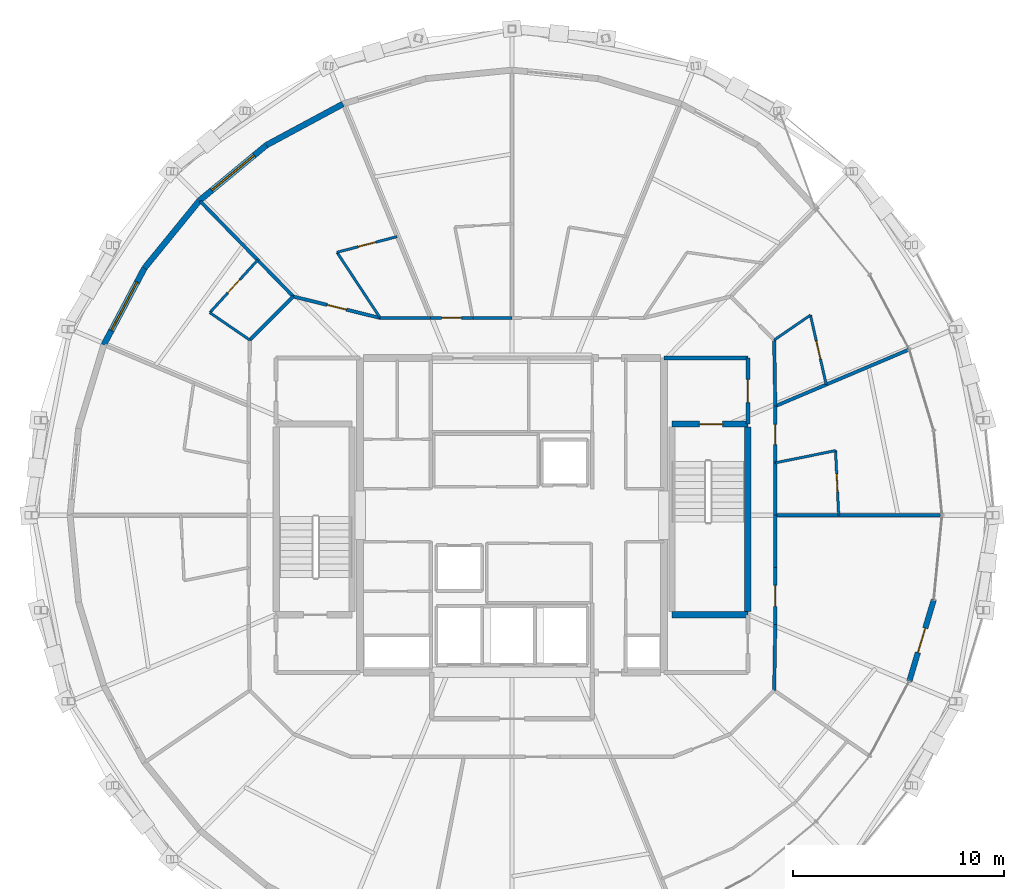
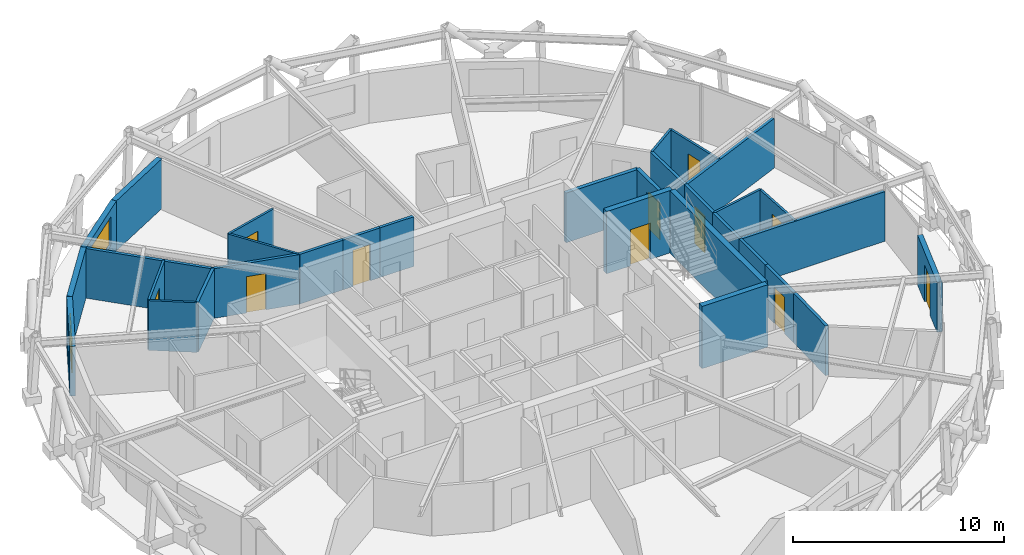
# One storey, part 13 of 15: 32 walls, 11 doors, 2 windows, 13 openings.
"""IFC4 building model written with IfcOpenShell, lengths in metres."""

import ifcopenshell
import ifcopenshell.guid

model = None  # the IFC model being written
_history = None  # IfcOwnerHistory: only IFC2X3 demands one
_inside = {}  # id of a spatial element -> (the spatial element, [elements in it])
_under = {}  # id of a project, library or spatial element -> (it, [spatial elements below it])
_declared = {}  # id of a project -> (the project, [libraries it declares])
_typed = {}  # id of a type object -> (the type object, [elements of that type])
_made_of = {}  # id of a material, layer set ... -> (it, [elements and type objects made of it])


def new_model(schema):
    """Start an empty IFC model of exactly this schema.

    Asked for "IFC4X3", IfcOpenShell would pick the latest addendum, in which some entities
    have other attributes; the version numbers below select the first issue.
    IFC2X3 requires an IfcOwnerHistory on every rooted entity: one is made here for all.
    """
    global model, _history
    if schema == "IFC4X3":
        model = ifcopenshell.file(schema_version=(4, 3, 0, 0))
    else:
        model = ifcopenshell.file(schema=schema)
    _inside.clear()
    _under.clear()
    _declared.clear()
    _typed.clear()
    _made_of.clear()
    _history = None
    if model.schema == "IFC2X3":
        org = make("IfcOrganization", Name="unknown")
        user = make(
            "IfcPersonAndOrganization",
            ThePerson=make("IfcPerson", FamilyName="unknown"),
            TheOrganization=org,
        )
        app = make(
            "IfcApplication",
            ApplicationDeveloper=org,
            Version="unknown",
            ApplicationFullName="unknown",
            ApplicationIdentifier="unknown",
        )
        _history = make(
            "IfcOwnerHistory",
            OwningUser=user,
            OwningApplication=app,
            ChangeAction="ADDED",
            CreationDate=0,
        )
    return model


def make(cls, **values):
    """One entity of the class cls with the attributes given. An attribute that is None is left unset."""
    return model.create_entity(
        cls, **{name: value for name, value in values.items() if value is not None}
    )


def rooted(cls, **values):
    """An entity with a GlobalId (a new one), such as an element, a storey or a relation."""
    return make(cls, GlobalId=ifcopenshell.guid.new(), OwnerHistory=_history, **values)


def si_unit(unit_type, name, prefix=None):
    """IfcSIUnit, for example si_unit("LENGTHUNIT", "METRE", prefix="MILLI")."""
    return make("IfcSIUnit", UnitType=unit_type, Prefix=prefix, Name=name)


def assignment(units):
    """IfcUnitAssignment: the units of a project."""
    return None if units is None else make("IfcUnitAssignment", Units=units)


def point(xyz):
    """IfcCartesianPoint."""
    return None if xyz is None else make("IfcCartesianPoint", Coordinates=xyz)


def direction(xyz):
    """IfcDirection."""
    return None if xyz is None else make("IfcDirection", DirectionRatios=xyz)


def frame(location, z_axis=None, x_axis=None):
    """IfcAxis2Placement3D, a coordinate frame: its origin and axes. An axis left out is left unset."""
    return make(
        "IfcAxis2Placement3D",
        Location=point(location),
        Axis=direction(z_axis),
        RefDirection=direction(x_axis),
    )


def frame_2d(location, x_axis=None):
    """IfcAxis2Placement2D, a coordinate frame in the plane: its origin and x axis."""
    return make(
        "IfcAxis2Placement2D", Location=point(location), RefDirection=direction(x_axis)
    )


def origin():
    """The frame at (0, 0, 0) with its axes left unset."""
    return frame((0.0, 0.0, 0.0))


def place(relative_to, where):
    """IfcLocalPlacement: puts the frame where relative to a parent placement (None: the world)."""
    return make(
        "IfcLocalPlacement", PlacementRelTo=relative_to, RelativePlacement=where
    )


def context(
    kind, dimensions, precision=None, world=None, true_north=None, identifier=None
):
    """IfcGeometricRepresentationContext, for example the 3D "Model" context."""
    return make(
        "IfcGeometricRepresentationContext",
        ContextIdentifier=identifier,
        ContextType=kind,
        CoordinateSpaceDimension=dimensions,
        Precision=precision,
        WorldCoordinateSystem=world,
        TrueNorth=true_north,
    )


def subcontext(parent, identifier, kind, view, scale=None):
    """IfcGeometricRepresentationSubContext, for example "Body" below "Model"."""
    return make(
        "IfcGeometricRepresentationSubContext",
        ContextIdentifier=identifier,
        ContextType=kind,
        ParentContext=parent,
        TargetScale=scale,
        TargetView=view,
    )


def project(units=None, contexts=None):
    """IfcProject with its units and contexts."""
    return rooted(
        "IfcProject",
        Name="project",
        RepresentationContexts=contexts,
        UnitsInContext=assignment(units),
    )


def spatial(cls, under=None, at=None, **own):
    """A site, building, storey or space (cls), placed at a placement, below another one or the project."""
    s = rooted(cls, ObjectPlacement=at, **own)
    if under is not None:
        _under.setdefault(under.id(), (under, []))[1].append(s)
    return s


def profile(cls, at=None, kind="AREA", **sizes):
    """A parametric profile (cls). Its sizes go by their IFC names, for example OverallWidth=200.0."""
    return make(cls, ProfileType=kind, Position=at, **sizes)


def rectangle(**sizes):
    """IfcRectangleProfileDef."""
    return profile("IfcRectangleProfileDef", **sizes)


def extrude(swept, where, along, depth):
    """IfcExtrudedAreaSolid: the profile swept, set in the frame where, extruded along a direction by depth."""
    return make(
        "IfcExtrudedAreaSolid",
        SweptArea=swept,
        Position=where,
        ExtrudedDirection=direction(along),
        Depth=depth,
    )


def shape(context_of_items, identifier, shape_type, items):
    """IfcShapeRepresentation: the items that make up one representation, for example the "Body"."""
    return make(
        "IfcShapeRepresentation",
        ContextOfItems=context_of_items,
        RepresentationIdentifier=identifier,
        RepresentationType=shape_type,
        Items=items,
    )


def material(Name=None, Category=None):
    """IfcMaterial."""
    return make("IfcMaterial", Name=Name, Category=Category)


def layer(
    of_material, thickness, ventilated=None, Name=None, Category=None, Priority=None
):
    """IfcMaterialLayer: one layer of a wall or slab, of a material (None: an air gap)."""
    return make(
        "IfcMaterialLayer",
        Material=of_material,
        LayerThickness=thickness,
        IsVentilated=ventilated,
        Name=Name,
        Category=Category,
        Priority=Priority,
    )


def layer_set(layers, Name=None):
    """IfcMaterialLayerSet."""
    return make("IfcMaterialLayerSet", MaterialLayers=layers, LayerSetName=Name)


def made_of(thing, what):
    """Note that an element or type object is made of a material, layer set ...; save() writes the relation."""
    if what is not None:
        _made_of.setdefault(what.id(), (what, []))[1].append(thing)
    return thing


def type_object(cls, material=None, **own):
    """A type object (cls), such as IfcWallType, which elements share."""
    return made_of(rooted(cls, **own), material)


def element(
    cls,
    number,
    at=None,
    inside=None,
    cuts=None,
    type_object=None,
    material=None,
    context=None,
    identifier="Body",
    shape_type=None,
    held_by="IfcProductDefinitionShape",
    body=None,
    shapes=None,
    **own,
):
    """One element of the class cls, such as IfcWall. Its Tag is "e" and its number.

    at: its placement. inside: the storey or other place that contains it. cuts: it is an
    opening in that element (IfcRelVoidsElement). A single representation is given by context,
    identifier, shape_type and body (its items); several are given by shapes. held_by: the class
    of the entity that holds the representations. save() writes the other relations.
    """
    e = rooted(cls, Tag="e%d" % number, ObjectPlacement=at, **own)
    if body is not None:
        shapes = [shape(context, identifier, shape_type, body)]
    if shapes is not None:
        e.Representation = make(held_by, Representations=shapes)
    if inside is not None:
        _inside.setdefault(inside.id(), (inside, []))[1].append(e)
    if cuts is not None:
        rooted(
            "IfcRelVoidsElement", RelatingBuildingElement=cuts, RelatedOpeningElement=e
        )
    if type_object is not None:
        _typed.setdefault(type_object.id(), (type_object, []))[1].append(e)
    return made_of(e, material)


def fill(opening, filler):
    """IfcRelFillsElement: the door or window that sits in an opening."""
    return rooted(
        "IfcRelFillsElement",
        RelatingOpeningElement=opening,
        RelatedBuildingElement=filler,
    )


def aggregate(whole, parts):
    """IfcRelAggregates: a whole, such as a stair, and the parts it consists of."""
    return rooted("IfcRelAggregates", RelatingObject=whole, RelatedObjects=parts)


def save(model, path):
    """Write the relations noted so far, then the file.

    IfcRelAggregates (storeys below a building ...), IfcRelContainedInSpatialStructure (elements
    in a storey), IfcRelDefinesByType, IfcRelAssociatesMaterial and IfcRelDeclares: one each for
    every whole, place, type object, material and project.
    """
    for whole, parts in _under.values():
        aggregate(whole, parts)
    for where, things in _inside.values():
        rooted(
            "IfcRelContainedInSpatialStructure",
            RelatedElements=things,
            RelatingStructure=where,
        )
    for kind, things in _typed.values():
        rooted("IfcRelDefinesByType", RelatedObjects=things, RelatingType=kind)
    for what, things in _made_of.values():
        rooted("IfcRelAssociatesMaterial", RelatedObjects=things, RelatingMaterial=what)
    for by, libraries in _declared.values():
        rooted("IfcRelDeclares", RelatingContext=by, RelatedDefinitions=libraries)
    model.write(path)


model = new_model("IFC4")

# Units and contexts
model_context = context("Model", 3, precision=1e-05, world=origin(), true_north=direction((0.0, 1.0)))
body_context = subcontext(model_context, "Body", "Model", "MODEL_VIEW")
ifc_project = project(units=[si_unit("LENGTHUNIT", "METRE"), si_unit("AREAUNIT", "SQUARE_METRE"), si_unit("VOLUMEUNIT", "CUBIC_METRE"), si_unit("PLANEANGLEUNIT", "RADIAN"), si_unit("MASSUNIT", "GRAM", prefix="KILO")], contexts=[model_context])

# Site, building, storey
site_placement = place(None, origin())
site = spatial("IfcSite", under=ifc_project, at=site_placement, CompositionType="ELEMENT")
building_placement = place(site_placement, origin())
building = spatial("IfcBuilding", under=site, at=building_placement, Name="Veldorina Hangang Commons", CompositionType="ELEMENT")
storey_placement = place(building_placement, frame((0.0, 0.0, 250.800048828125)))
storey = spatial("IfcBuildingStorey", under=building, at=storey_placement, Name="L65", CompositionType="ELEMENT", Elevation=250.800048828125)

# Wall, opening, door
ifc_material_1 = material(Name="Stone Roman Travertine", Category="masonry")
ifc_layer_1 = layer(ifc_material_1, 0.260009765625)
ifc_layer_set_1 = layer_set([ifc_layer_1], Name="Stone Roman Travertine")
wall_type_1 = type_object("IfcWallType", Name="EW-LOGGIA-260", PredefinedType="STANDARD", material=ifc_layer_set_1)
wall_1_placement = place(storey_placement, frame((50.83349609375, 16.140625, 0.0), z_axis=(0.0, 0.0, 1.0), x_axis=(0.288277391775, 0.957546941612, 0.0)))
wall_1 = element("IfcWall", 1, at=wall_1_placement, inside=storey, type_object=wall_type_1, Name="L65 sky-garden loggia portal wall 30", PredefinedType="STANDARD", context=body_context, shape_type="SweptSolid", body=[
    extrude(rectangle(XDim=4.023681640625, YDim=0.260009765625, at=frame_2d((2.01171875, 0.0))), origin(), (0.0, 0.0, 1.0), 2.8798828125),
])
opening_1_placement = place(wall_1_placement, frame((1.411865234375, 0.0, 0.0)))
opening_1 = element("IfcOpeningElement", 2, at=opening_1_placement, cuts=wall_1, Name="Opening BD-1200", PredefinedType="OPENING", context=body_context, shape_type="SweptSolid", body=[
    extrude(rectangle(XDim=1.199951171875, YDim=2.14990234375, at=frame_2d((0.60009765625, 1.074951171875))), frame((0.0, 0.14013671875, 0.0), z_axis=(0.0, -1.0, 0.0), x_axis=(1.0, 0.0, 0.0)), (0.0, 0.0, 1.0), 0.280029296875),
])
ifc_material_2 = material(Name="Glass Thermal Aluminium Frame", Category="aluminium")
door_type_1 = type_object("IfcDoorType", Name="DR-EXT-LOG1200", OperationType="SINGLE_SWING_LEFT", PredefinedType="DOOR", material=ifc_material_2)
door_1_placement = place(opening_1_placement, origin())
door_1 = element("IfcDoor", 3, at=door_1_placement, inside=storey, type_object=door_type_1, Name="L65 loggia glazed exterior door 30", OperationType="SINGLE_SWING_LEFT", OverallHeight=2.14990234375, OverallWidth=1.199951171875, PredefinedType="DOOR", context=body_context, shape_type="SweptSolid", body=[
    extrude(rectangle(XDim=1.199951171875, YDim=2.14990234375, at=frame_2d((0.60009765625, 1.074951171875))), frame((0.0, 0.02490234375, 0.0), z_axis=(0.0, -1.0, 0.0), x_axis=(1.0, 0.0, 0.0)), (0.0, 0.0, 1.0), 0.050048828125),
])
fill(opening_1, door_1)

# Wall
ifc_layer_2 = layer(ifc_material_1, 0.280029296875)
ifc_layer_set_2 = layer_set([ifc_layer_2], Name="Stone Roman Travertine")
wall_type_2 = type_object("IfcWallType", Name="EW-TRAV-280", PredefinedType="STANDARD", material=ifc_layer_set_2)
wall_2_placement = place(storey_placement, frame((23.984619140625, 43.49169921875, 0.0), z_axis=(0.0, 0.0, 1.0), x_axis=(-0.880482536711, -0.474078582671, 0.0)))
element("IfcWall", 4, at=wall_2_placement, inside=storey, type_object=wall_type_2, Name="L65 travertine facade wall 10", PredefinedType="STANDARD", context=body_context, shape_type="SweptSolid", body=[
    extrude(rectangle(XDim=4.112548828125, YDim=0.280029296875, at=frame_2d((2.05615234375, 0.0))), origin(), (0.0, 0.0, 1.0), 2.8798828125),
])

# Wall, opening, window
wall_3_placement = place(storey_placement, frame((20.363525390625, 41.5419921875, 0.0), z_axis=(0.0, 0.0, 1.0), x_axis=(-0.770756680857, -0.637129609197, 0.0)))
wall_3 = element("IfcWall", 5, at=wall_3_placement, inside=storey, type_object=wall_type_2, Name="L65 travertine facade wall 11", PredefinedType="STANDARD", context=body_context, shape_type="SweptSolid", body=[
    extrude(rectangle(XDim=4.1181640625, YDim=0.280029296875, at=frame_2d((2.05908203125, 0.0))), origin(), (0.0, 0.0, 1.0), 2.8798828125),
])
opening_2_placement = place(wall_3_placement, frame((0.759033203125, 0.0, 0.800048828125)))
opening_2 = element("IfcOpeningElement", 6, at=opening_2_placement, cuts=wall_3, Name="Opening W-02", PredefinedType="OPENING", context=body_context, shape_type="SweptSolid", body=[
    extrude(rectangle(XDim=2.60009765625, YDim=1.64990234375, at=frame_2d((1.300048828125, 0.824951171875))), frame((0.0, 0.14990234375, 0.0), z_axis=(0.0, -1.0, 0.0), x_axis=(1.0, 0.0, 0.0)), (0.0, 0.0, 1.0), 0.300048828125),
])
ifc_material_3 = material(Name="Glass Low-E Triple IGU", Category="glass")
window_type = type_object("IfcWindowType", Name="WIN-TWR-2600", PartitioningType="SINGLE_PANEL", PredefinedType="WINDOW", material=ifc_material_3)
window_1_placement = place(opening_2_placement, origin())
window_1 = element("IfcWindow", 7, at=window_1_placement, inside=storey, type_object=window_type, Name="L65 facade window 11", OverallHeight=1.64990234375, OverallWidth=2.60009765625, PartitioningType="SINGLE_PANEL", PredefinedType="WINDOW", context=body_context, shape_type="SweptSolid", body=[
    extrude(rectangle(XDim=2.60009765625, YDim=1.64990234375, at=frame_2d((1.300048828125, 0.824951171875))), frame((0.0, 0.030029296875, 0.0), z_axis=(0.0, -1.0, 0.0), x_axis=(1.0, 0.0, 0.0)), (0.0, 0.0, 1.0), 0.06005859375),
])
fill(opening_2, window_1)

# Wall
wall_4_placement = place(storey_placement, frame((17.189453125, 38.918212890625, 0.0), z_axis=(0.0, 0.0, 1.0), x_axis=(-0.631637370097, -0.775263976138, 0.0)))
element("IfcWall", 8, at=wall_4_placement, inside=storey, type_object=wall_type_2, Name="L65 travertine facade wall 12", PredefinedType="STANDARD", context=body_context, shape_type="SweptSolid", body=[
    extrude(rectangle(XDim=4.123779296875, YDim=0.280029296875, at=frame_2d((2.06201171875, 0.0))), origin(), (0.0, 0.0, 1.0), 2.8798828125),
])

# Wall, opening, window
wall_5_placement = place(storey_placement, frame((14.584716796875, 35.72119140625, 0.0), z_axis=(0.0, 0.0, 1.0), x_axis=(-0.468745936162, -0.883333033081, 0.0)))
wall_5 = element("IfcWall", 9, at=wall_5_placement, inside=storey, type_object=wall_type_2, Name="L65 travertine facade wall 13", PredefinedType="STANDARD", context=body_context, shape_type="SweptSolid", body=[
    extrude(rectangle(XDim=4.129150390625, YDim=0.280029296875, at=frame_2d((2.064453125, 0.0))), origin(), (0.0, 0.0, 1.0), 2.8798828125),
])
opening_3_placement = place(wall_5_placement, frame((0.7646484375, 0.0, 0.800048828125)))
opening_3 = element("IfcOpeningElement", 10, at=opening_3_placement, cuts=wall_5, Name="Opening W-02", PredefinedType="OPENING", context=body_context, shape_type="SweptSolid", body=[
    extrude(rectangle(XDim=2.60009765625, YDim=1.64990234375, at=frame_2d((1.300048828125, 0.824951171875))), frame((0.0, 0.14990234375, 0.0), z_axis=(0.0, -1.0, 0.0), x_axis=(1.0, 0.0, 0.0)), (0.0, 0.0, 1.0), 0.300048828125),
])
window_2_placement = place(opening_3_placement, origin())
window_2 = element("IfcWindow", 11, at=window_2_placement, inside=storey, type_object=window_type, Name="L65 facade window 13", OverallHeight=1.64990234375, OverallWidth=2.60009765625, PartitioningType="SINGLE_PANEL", PredefinedType="WINDOW", context=body_context, shape_type="SweptSolid", body=[
    extrude(rectangle(XDim=2.60009765625, YDim=1.64990234375, at=frame_2d((1.300048828125, 0.824951171875))), frame((0.0, 0.030029296875, 0.0), z_axis=(0.0, -1.0, 0.0), x_axis=(1.0, 0.0, 0.0)), (0.0, 0.0, 1.0), 0.06005859375),
])
fill(opening_3, window_2)

# Walls
ifc_material_4 = material(Name="Concrete C50/60", Category="concrete")
ifc_layer_3 = layer(ifc_material_4, 0.300048828125)
ifc_layer_set_3 = layer_set([ifc_layer_3], Name="Concrete C50/60")
wall_type_3 = type_object("IfcWallType", Name="SW-STAIR-300", PredefinedType="SHEAR", material=ifc_layer_set_3)
wall_6_placement = place(storey_placement, frame((43.179931640625, 19.429931640625, 0.0), z_axis=(0.0, 0.0, 1.0), x_axis=(0.0, 1.0, 0.0)))
element("IfcWall", 12, at=wall_6_placement, inside=storey, type_object=wall_type_3, Name="L65 ST2 outer stair shear wall", PredefinedType="SHEAR", context=body_context, shape_type="SweptSolid", body=[
    extrude(rectangle(XDim=8.739990234375, YDim=0.300048828125, at=frame_2d((4.3701171875, 0.0))), origin(), (0.0, 0.0, 1.0), 3.599853515625),
])
wall_7_placement = place(storey_placement, frame((39.580078125, 19.280029296875, 0.0), z_axis=(0.0, 0.0, 1.0), x_axis=(1.0, 0.0, 0.0)))
element("IfcWall", 13, at=wall_7_placement, inside=storey, type_object=wall_type_3, Name="L65 ST2 south stair shear wall", PredefinedType="SHEAR", context=body_context, shape_type="SweptSolid", body=[
    extrude(rectangle(XDim=3.599853515625, YDim=0.300048828125, at=frame_2d((1.7998046875, 0.0))), origin(), (0.0, 0.0, 1.0), 3.599853515625),
])

# Wall, opening, door
wall_8_placement = place(storey_placement, frame((39.580078125, 28.320068359375, 0.0), z_axis=(0.0, 0.0, 1.0), x_axis=(1.0, 0.0, 0.0)))
wall_8 = element("IfcWall", 14, at=wall_8_placement, inside=storey, type_object=wall_type_3, Name="L65 ST2 north stair shear wall", PredefinedType="SHEAR", context=body_context, shape_type="SweptSolid", body=[
    extrude(rectangle(XDim=3.599853515625, YDim=0.300048828125, at=frame_2d((1.7998046875, 0.0))), origin(), (0.0, 0.0, 1.0), 3.599853515625),
])
opening_4_placement = place(wall_8_placement, frame((1.300048828125, 0.0, 0.0)))
opening_4 = element("IfcOpeningElement", 15, at=opening_4_placement, cuts=wall_8, Name="Opening D-08", PredefinedType="OPENING", context=body_context, shape_type="SweptSolid", body=[
    extrude(rectangle(XDim=1.10009765625, YDim=2.10009765625, at=frame_2d((0.550048828125, 1.050048828125))), frame((0.0, 0.16015625, 0.0), z_axis=(0.0, -1.0, 0.0), x_axis=(1.0, 0.0, 0.0)), (0.0, 0.0, 1.0), 0.320068359375),
])
ifc_material_5 = material(Name="Steel Fire-Rated Smoke Seal", Category="steel")
door_type_2 = type_object("IfcDoorType", Name="DR-FIRE-1100", OperationType="SINGLE_SWING_RIGHT", PredefinedType="DOOR", material=ifc_material_5)
door_2_placement = place(opening_4_placement, origin())
door_2 = element("IfcDoor", 16, at=door_2_placement, inside=storey, type_object=door_type_2, Name="L65 Special Escape Stair ST-2 door", OperationType="SINGLE_SWING_RIGHT", OverallHeight=2.10009765625, OverallWidth=1.10009765625, PredefinedType="DOOR", context=body_context, shape_type="SweptSolid", body=[
    extrude(rectangle(XDim=1.10009765625, YDim=2.10009765625, at=frame_2d((0.550048828125, 1.050048828125))), frame((0.0, 0.02490234375, 0.0), z_axis=(0.0, -1.0, 0.0), x_axis=(1.0, 0.0, 0.0)), (0.0, 0.0, 1.0), 0.050048828125),
])
fill(opening_4, door_2)

# Wall
ifc_material_6 = material(Name="Gypsum Fire-Rated Twin Stud Wall", Category="gypsum")
ifc_layer_4 = layer(ifc_material_6, 0.159912109375)
ifc_layer_set_4 = layer_set([ifc_layer_4], Name="Gypsum Fire-Rated Twin Stud Wall")
wall_type_4 = type_object("IfcWallType", Name="WL-FIRE-160", PredefinedType="SOLIDWALL", material=ifc_layer_set_4)
wall_9_placement = place(storey_placement, frame((44.47998046875, 24.0, 0.0), z_axis=(0.0, 0.0, 1.0), x_axis=(0.0, 1.0, 0.0)))
element("IfcWall", 17, at=wall_9_placement, inside=storey, type_object=wall_type_4, Name="L65 Compact collar outer wall 00 054", PredefinedType="SOLIDWALL", context=body_context, shape_type="SweptSolid", body=[
    extrude(rectangle(XDim=2.482421875, YDim=0.159912109375, at=frame_2d((1.2412109375, 0.0))), origin(), (0.0, 0.0, 1.0), 2.869873046875),
])

# Wall, opening, door
wall_10_placement = place(storey_placement, frame((44.47998046875, 26.482421875, 0.0), z_axis=(0.0, 0.0, 1.0), x_axis=(0.0, 1.0, 0.0)))
wall_10 = element("IfcWall", 18, at=wall_10_placement, inside=storey, type_object=wall_type_4, Name="L65 Compact collar outer wall 01 055", PredefinedType="SOLIDWALL", context=body_context, shape_type="SweptSolid", body=[
    extrude(rectangle(XDim=2.68701171875, YDim=0.159912109375, at=frame_2d((1.343505859375, 0.0))), origin(), (0.0, 0.0, 1.0), 2.869873046875),
])
opening_5_placement = place(wall_10_placement, frame((0.868408203125, 0.0, 0.0)))
opening_5 = element("IfcOpeningElement", 19, at=opening_5_placement, cuts=wall_10, Name="Opening D-03", PredefinedType="OPENING", context=body_context, shape_type="SweptSolid", body=[
    extrude(rectangle(XDim=0.949951171875, YDim=2.10009765625, at=frame_2d((0.47509765625, 1.050048828125))), frame((0.0, 0.08984375, 0.0), z_axis=(0.0, -1.0, 0.0), x_axis=(1.0, 0.0, 0.0)), (0.0, 0.0, 1.0), 0.179931640625),
])
ifc_material_7 = material(Name="Timber Fire-Rated Entrance Core", Category="wood")
door_type_3 = type_object("IfcDoorType", Name="DR-UNIT-950", OperationType="SINGLE_SWING_RIGHT", PredefinedType="DOOR", material=ifc_material_7)
door_3_placement = place(opening_5_placement, origin())
door_3 = element("IfcDoor", 20, at=door_3_placement, inside=storey, type_object=door_type_3, Name="L65 Studio 2 entrance door 024", OperationType="SINGLE_SWING_RIGHT", OverallHeight=2.10009765625, OverallWidth=0.949951171875, PredefinedType="DOOR", context=body_context, shape_type="SweptSolid", body=[
    extrude(rectangle(XDim=0.949951171875, YDim=2.10009765625, at=frame_2d((0.47509765625, 1.050048828125))), frame((0.0, 0.02490234375, 0.0), z_axis=(0.0, -1.0, 0.0), x_axis=(1.0, 0.0, 0.0)), (0.0, 0.0, 1.0), 0.050048828125),
])
fill(opening_5, door_3)

# Walls
wall_11_placement = place(storey_placement, frame((44.47998046875, 29.16943359375, 0.0), z_axis=(0.0, 0.0, 1.0), x_axis=(-0.016981035134, 0.999855811828, 0.0)))
element("IfcWall", 21, at=wall_11_placement, inside=storey, type_object=wall_type_4, Name="L65 Compact collar outer wall 02 056", PredefinedType="SOLIDWALL", context=body_context, shape_type="SweptSolid", body=[
    extrude(rectangle(XDim=3.13427734375, YDim=0.159912109375, at=frame_2d((1.567138671875, 0.0))), origin(), (0.0, 0.0, 1.0), 2.869873046875),
])
wall_12_placement = place(storey_placement, frame((32.0, 33.35009765625, 0.0), z_axis=(0.0, 0.0, 1.0), x_axis=(-1.0, 0.0, 0.0)))
element("IfcWall", 22, at=wall_12_placement, inside=storey, type_object=wall_type_4, Name="L65 Compact collar outer wall 08 062", PredefinedType="SOLIDWALL", context=body_context, shape_type="SweptSolid", body=[
    extrude(rectangle(XDim=1.85986328125, YDim=0.159912109375, at=frame_2d((0.929931640625, 0.0))), origin(), (0.0, 0.0, 1.0), 2.869873046875),
])

# Wall, opening, door
wall_13_placement = place(storey_placement, frame((30.14013671875, 33.35009765625, 0.0), z_axis=(0.0, 0.0, 1.0), x_axis=(-1.0, 0.0, 0.0)))
wall_13 = element("IfcWall", 23, at=wall_13_placement, inside=storey, type_object=wall_type_4, Name="L65 Compact collar outer wall 09 063", PredefinedType="SOLIDWALL", context=body_context, shape_type="SweptSolid", body=[
    extrude(rectangle(XDim=2.012939453125, YDim=0.159912109375, at=frame_2d((1.00634765625, 0.0))), origin(), (0.0, 0.0, 1.0), 2.869873046875),
])
opening_6_placement = place(wall_13_placement, frame((0.531494140625, 0.0, 0.0)))
opening_6 = element("IfcOpeningElement", 24, at=opening_6_placement, cuts=wall_13, Name="Opening D-03", PredefinedType="OPENING", context=body_context, shape_type="SweptSolid", body=[
    extrude(rectangle(XDim=0.949951171875, YDim=2.10009765625, at=frame_2d((0.47509765625, 1.050048828125))), frame((0.0, 0.08984375, 0.0), z_axis=(0.0, -1.0, 0.0), x_axis=(1.0, 0.0, 0.0)), (0.0, 0.0, 1.0), 0.179931640625),
])
door_4_placement = place(opening_6_placement, origin())
door_4 = element("IfcDoor", 25, at=door_4_placement, inside=storey, type_object=door_type_3, Name="L65 Studio 6 entrance door 032", OperationType="SINGLE_SWING_RIGHT", OverallHeight=2.10009765625, OverallWidth=0.949951171875, PredefinedType="DOOR", context=body_context, shape_type="SweptSolid", body=[
    extrude(rectangle(XDim=0.949951171875, YDim=2.10009765625, at=frame_2d((0.47509765625, 1.050048828125))), frame((0.0, 0.02490234375, 0.0), z_axis=(0.0, -1.0, 0.0), x_axis=(1.0, 0.0, 0.0)), (0.0, 0.0, 1.0), 0.050048828125),
])
fill(opening_6, door_4)

# Wall
wall_14_placement = place(storey_placement, frame((28.127197265625, 33.35009765625, 0.0), z_axis=(0.0, 0.0, 1.0), x_axis=(-1.0, 0.0, 0.0)))
element("IfcWall", 26, at=wall_14_placement, inside=storey, type_object=wall_type_4, Name="L65 Compact collar outer wall 10 064", PredefinedType="SOLIDWALL", context=body_context, shape_type="SweptSolid", body=[
    extrude(rectangle(XDim=2.374755859375, YDim=0.159912109375, at=frame_2d((1.1875, 0.0))), origin(), (0.0, 0.0, 1.0), 2.869873046875),
])

# Wall, opening, door
wall_15_placement = place(storey_placement, frame((25.75244140625, 33.35009765625, 0.0), z_axis=(0.0, 0.0, 1.0), x_axis=(-0.970939799552, 0.239323850978, 0.0)))
wall_15 = element("IfcWall", 27, at=wall_15_placement, inside=storey, type_object=wall_type_4, Name="L65 Compact collar outer wall 11 065", PredefinedType="SOLIDWALL", context=body_context, shape_type="SweptSolid", body=[
    extrude(rectangle(XDim=4.24072265625, YDim=0.159912109375, at=frame_2d((2.120361328125, 0.0))), origin(), (0.0, 0.0, 1.0), 2.869873046875),
])
opening_7_placement = place(wall_15_placement, frame((1.6455078125, 0.0, 0.0)))
opening_7 = element("IfcOpeningElement", 28, at=opening_7_placement, cuts=wall_15, Name="Opening D-03", PredefinedType="OPENING", context=body_context, shape_type="SweptSolid", body=[
    extrude(rectangle(XDim=0.949951171875, YDim=2.10009765625, at=frame_2d((0.47509765625, 1.050048828125))), frame((0.0, 0.08984375, 0.0), z_axis=(0.0, -1.0, 0.0), x_axis=(1.0, 0.0, 0.0)), (0.0, 0.0, 1.0), 0.179931640625),
])
door_5_placement = place(opening_7_placement, origin())
door_5 = element("IfcDoor", 29, at=door_5_placement, inside=storey, type_object=door_type_3, Name="L65 Studio 7 entrance door 034", OperationType="SINGLE_SWING_RIGHT", OverallHeight=2.10009765625, OverallWidth=0.949951171875, PredefinedType="DOOR", context=body_context, shape_type="SweptSolid", body=[
    extrude(rectangle(XDim=0.949951171875, YDim=2.10009765625, at=frame_2d((0.47509765625, 1.050048828125))), frame((0.0, 0.02490234375, 0.0), z_axis=(0.0, -1.0, 0.0), x_axis=(1.0, 0.0, 0.0)), (0.0, 0.0, 1.0), 0.050048828125),
])
fill(opening_7, door_5)

# Walls
wall_16_placement = place(storey_placement, frame((21.635009765625, 34.364990234375, 0.0), z_axis=(0.0, 0.0, 1.0), x_axis=(-0.707106781187, -0.707106781187, 0.0)))
element("IfcWall", 30, at=wall_16_placement, inside=storey, type_object=wall_type_4, Name="L65 Compact collar outer wall 12 066", PredefinedType="SOLIDWALL", context=body_context, shape_type="SweptSolid", body=[
    extrude(rectangle(XDim=2.915771484375, YDim=0.159912109375, at=frame_2d((1.4580078125, 0.0))), origin(), (0.0, 0.0, 1.0), 2.869873046875),
])
wall_17_placement = place(storey_placement, frame((44.4267578125, 15.69677734375, 0.0), z_axis=(0.0, 0.0, 1.0), x_axis=(0.016981035134, 0.999855811828, 0.0)))
element("IfcWall", 31, at=wall_17_placement, inside=storey, type_object=wall_type_4, Name="L65 Compact collar outer wall 29 083", PredefinedType="SOLIDWALL", context=body_context, shape_type="SweptSolid", body=[
    extrude(rectangle(XDim=3.13427734375, YDim=0.159912109375, at=frame_2d((1.567138671875, 0.0))), origin(), (0.0, 0.0, 1.0), 2.869873046875),
])

# Wall, opening, door
wall_18_placement = place(storey_placement, frame((44.47998046875, 18.83056640625, 0.0), z_axis=(0.0, 0.0, 1.0), x_axis=(0.0, 1.0, 0.0)))
wall_18 = element("IfcWall", 32, at=wall_18_placement, inside=storey, type_object=wall_type_4, Name="L65 Compact collar outer wall 30 084", PredefinedType="SOLIDWALL", context=body_context, shape_type="SweptSolid", body=[
    extrude(rectangle(XDim=2.68701171875, YDim=0.159912109375, at=frame_2d((1.343505859375, 0.0))), origin(), (0.0, 0.0, 1.0), 2.869873046875),
])
opening_8_placement = place(wall_18_placement, frame((0.843505859375, 0.0, 0.0)))
opening_8 = element("IfcOpeningElement", 33, at=opening_8_placement, cuts=wall_18, Name="Opening D-05", PredefinedType="OPENING", context=body_context, shape_type="SweptSolid", body=[
    extrude(rectangle(XDim=1.0, YDim=2.10009765625, at=frame_2d((0.5, 1.050048828125))), frame((0.0, 0.08984375, 0.0), z_axis=(0.0, -1.0, 0.0), x_axis=(1.0, 0.0, 0.0)), (0.0, 0.0, 1.0), 0.179931640625),
])
ifc_material_8 = material(Name="Timber Solid Core Acoustic", Category="wood")
door_type_4 = type_object("IfcDoorType", Name="DR-INT-1000", OperationType="SINGLE_SWING_RIGHT", PredefinedType="DOOR", material=ifc_material_8)
door_6_placement = place(opening_8_placement, origin())
door_6 = element("IfcDoor", 34, at=door_6_placement, inside=storey, type_object=door_type_4, Name="L65 Sky-Garden Commons Lounge door 022", OperationType="SINGLE_SWING_RIGHT", OverallHeight=2.10009765625, OverallWidth=1.0, PredefinedType="DOOR", context=body_context, shape_type="SweptSolid", body=[
    extrude(rectangle(XDim=1.0, YDim=2.10009765625, at=frame_2d((0.5, 1.050048828125))), frame((0.0, 0.02490234375, 0.0), z_axis=(0.0, -1.0, 0.0), x_axis=(1.0, 0.0, 0.0)), (0.0, 0.0, 1.0), 0.050048828125),
])
fill(opening_8, door_6)

# Walls
wall_19_placement = place(storey_placement, frame((44.47998046875, 21.517578125, 0.0), z_axis=(0.0, 0.0, 1.0), x_axis=(0.0, 1.0, 0.0)))
element("IfcWall", 35, at=wall_19_placement, inside=storey, type_object=wall_type_4, Name="L65 Compact collar outer wall 31 085", PredefinedType="SOLIDWALL", context=body_context, shape_type="SweptSolid", body=[
    extrude(rectangle(XDim=2.482421875, YDim=0.159912109375, at=frame_2d((1.2412109375, 0.0))), origin(), (0.0, 0.0, 1.0), 2.869873046875),
])
wall_20_placement = place(storey_placement, frame((44.47998046875, 24.0, 0.0), z_axis=(0.0, 0.0, 1.0), x_axis=(1.0, 0.0, 0.0)))
element("IfcWall", 36, at=wall_20_placement, inside=storey, type_object=wall_type_4, Name="L65 Unit party wall 00 087", PredefinedType="SOLIDWALL", context=body_context, shape_type="SweptSolid", body=[
    extrude(rectangle(XDim=7.855224609375, YDim=0.159912109375, at=frame_2d((3.927734375, 0.0))), origin(), (0.0, 0.0, 1.0), 2.869873046875),
])
wall_21_placement = place(storey_placement, frame((44.47998046875, 29.16943359375, 0.0), z_axis=(0.0, 0.0, 1.0), x_axis=(0.920872772273, 0.389863228949, 0.0)))
element("IfcWall", 37, at=wall_21_placement, inside=storey, type_object=wall_type_4, Name="L65 Unit party wall 02 090", PredefinedType="SOLIDWALL", context=body_context, shape_type="SweptSolid", body=[
    extrude(rectangle(XDim=6.849609375, YDim=0.159912109375, at=frame_2d((3.4248046875, 0.0))), origin(), (0.0, 0.0, 1.0), 2.869873046875),
])
wall_22_placement = place(storey_placement, frame((21.635009765625, 34.364990234375, 0.0), z_axis=(0.0, 0.0, 1.0), x_axis=(-0.698587637664, 0.715524501679, 0.0)))
element("IfcWall", 38, at=wall_22_placement, inside=storey, type_object=wall_type_4, Name="L65 Unit party wall 12 105", PredefinedType="SOLIDWALL", context=body_context, shape_type="SweptSolid", body=[
    extrude(rectangle(XDim=6.313720703125, YDim=0.159912109375, at=frame_2d((3.15673828125, 0.0))), origin(), (0.0, 0.0, 1.0), 2.869873046875),
])

# Wall, opening, door
ifc_material_9 = material(Name="Concrete Blockwork Fire Wall C30/37", Category="masonry")
ifc_layer_5 = layer(ifc_material_9, 0.199951171875)
ifc_layer_set_5 = layer_set([ifc_layer_5], Name="Concrete Blockwork Fire Wall C30/37")
wall_type_5 = type_object("IfcWallType", Name="WL-FIRE-200", PredefinedType="SOLIDWALL", material=ifc_layer_set_5)
wall_23_placement = place(storey_placement, frame((43.179931640625, 28.320068359375, 0.0), z_axis=(0.0, 0.0, 1.0), x_axis=(0.0, 1.0, 0.0)))
wall_23 = element("IfcWall", 39, at=wall_23_placement, inside=storey, type_object=wall_type_5, Name="L65 East vestibule outer wall 003", PredefinedType="SOLIDWALL", context=body_context, shape_type="SweptSolid", body=[
    extrude(rectangle(XDim=3.1298828125, YDim=0.199951171875, at=frame_2d((1.56494140625, 0.0))), origin(), (0.0, 0.0, 1.0), 2.869873046875),
])
opening_9_placement = place(wall_23_placement, frame((1.014892578125, 0.0, 0.0)))
opening_9 = element("IfcOpeningElement", 40, at=opening_9_placement, cuts=wall_23, Name="Opening D-08", PredefinedType="OPENING", context=body_context, shape_type="SweptSolid", body=[
    extrude(rectangle(XDim=1.10009765625, YDim=2.10009765625, at=frame_2d((0.550048828125, 1.050048828125))), frame((0.0, 0.10986328125, 0.0), z_axis=(0.0, -1.0, 0.0), x_axis=(1.0, 0.0, 0.0)), (0.0, 0.0, 1.0), 0.219970703125),
])
door_7_placement = place(opening_9_placement, origin())
door_7 = element("IfcDoor", 41, at=door_7_placement, inside=storey, type_object=door_type_2, Name="L65 East vestibule east door 002", OperationType="SINGLE_SWING_RIGHT", OverallHeight=2.10009765625, OverallWidth=1.10009765625, PredefinedType="DOOR", context=body_context, shape_type="SweptSolid", body=[
    extrude(rectangle(XDim=1.10009765625, YDim=2.10009765625, at=frame_2d((0.550048828125, 1.050048828125))), frame((0.0, 0.02490234375, 0.0), z_axis=(0.0, -1.0, 0.0), x_axis=(1.0, 0.0, 0.0)), (0.0, 0.0, 1.0), 0.050048828125),
])
fill(opening_9, door_7)

# Wall
wall_24_placement = place(storey_placement, frame((39.199951171875, 31.449951171875, 0.0), z_axis=(0.0, 0.0, 1.0), x_axis=(1.0, 0.0, 0.0)))
element("IfcWall", 42, at=wall_24_placement, inside=storey, type_object=wall_type_5, Name="L65 East vestibule north wall 004", PredefinedType="SOLIDWALL", context=body_context, shape_type="SweptSolid", body=[
    extrude(rectangle(XDim=3.97998046875, YDim=0.199951171875, at=frame_2d((1.989990234375, 0.0))), origin(), (0.0, 0.0, 1.0), 2.869873046875),
])

# Wall, opening, door
ifc_material_10 = material(Name="Gypsum Acoustic Stud Partition", Category="gypsum")
ifc_layer_6 = layer(ifc_material_10, 0.1201171875)
ifc_layer_set_6 = layer_set([ifc_layer_6], Name="Gypsum Acoustic Stud Partition")
wall_type_6 = type_object("IfcWallType", Name="WL-PART-120", PredefinedType="PARTITIONING", material=ifc_layer_set_6)
wall_25_placement = place(storey_placement, frame((47.48388671875, 24.0, 0.0), z_axis=(0.0, 0.0, 1.0), x_axis=(-0.048507424132, 0.998822822028, 0.0)))
wall_25 = element("IfcWall", 43, at=wall_25_placement, inside=storey, type_object=wall_type_6, Name="L65 Studio 2 bath front wall 088", PredefinedType="PARTITIONING", context=body_context, shape_type="SweptSolid", body=[
    extrude(rectangle(XDim=3.065185546875, YDim=0.1201171875, at=frame_2d((1.53271484375, 0.0))), origin(), (0.0, 0.0, 1.0), 2.869873046875),
])
opening_10_placement = place(wall_25_placement, frame((1.1025390625, 0.0, 0.0)))
opening_10 = element("IfcOpeningElement", 44, at=opening_10_placement, cuts=wall_25, Name="Opening D-01", PredefinedType="OPENING", context=body_context, shape_type="SweptSolid", body=[
    extrude(rectangle(XDim=0.860107421875, YDim=2.10009765625, at=frame_2d((0.43017578125, 1.050048828125))), frame((0.0, 0.070068359375, 0.0), z_axis=(0.0, -1.0, 0.0), x_axis=(1.0, 0.0, 0.0)), (0.0, 0.0, 1.0), 0.14013671875),
])
ifc_material_11 = material(Name="Timber Moisture-Resistant Core", Category="wood")
door_type_5 = type_object("IfcDoorType", Name="DR-WET-860", OperationType="SINGLE_SWING_LEFT", PredefinedType="DOOR", material=ifc_material_11)
door_8_placement = place(opening_10_placement, origin())
door_8 = element("IfcDoor", 45, at=door_8_placement, inside=storey, type_object=door_type_5, Name="L65 Studio 2 bathroom door 023", OperationType="SINGLE_SWING_LEFT", OverallHeight=2.10009765625, OverallWidth=0.860107421875, PredefinedType="DOOR", context=body_context, shape_type="SweptSolid", body=[
    extrude(rectangle(XDim=0.860107421875, YDim=2.10009765625, at=frame_2d((0.43017578125, 1.050048828125))), frame((0.0, 0.02490234375, 0.0), z_axis=(0.0, -1.0, 0.0), x_axis=(1.0, 0.0, 0.0)), (0.0, 0.0, 1.0), 0.050048828125),
])
fill(opening_10, door_8)

# Wall
wall_26_placement = place(storey_placement, frame((44.47998046875, 26.482421875, 0.0), z_axis=(0.0, 0.0, 1.0), x_axis=(0.980045260394, 0.198774464101, 0.0)))
element("IfcWall", 46, at=wall_26_placement, inside=storey, type_object=wall_type_6, Name="L65 Studio 2 bath side wall 089", PredefinedType="PARTITIONING", context=body_context, shape_type="SweptSolid", body=[
    extrude(rectangle(XDim=2.913330078125, YDim=0.1201171875, at=frame_2d((1.45654296875, 0.0))), origin(), (0.0, 0.0, 1.0), 2.869873046875),
])

# Wall, opening, door
wall_27_placement = place(storey_placement, frame((46.894287109375, 30.191650390625, 0.0), z_axis=(0.0, 0.0, 1.0), x_axis=(-0.221774244265, 0.975098038446, 0.0)))
wall_27 = element("IfcWall", 47, at=wall_27_placement, inside=storey, type_object=wall_type_6, Name="L65 Studio 3 bath front wall 091", PredefinedType="PARTITIONING", context=body_context, shape_type="SweptSolid", body=[
    extrude(rectangle(XDim=3.376220703125, YDim=0.1201171875, at=frame_2d((1.68798828125, 0.0))), origin(), (0.0, 0.0, 1.0), 2.869873046875),
])
opening_11_placement = place(wall_27_placement, frame((1.25830078125, 0.0, 0.0)))
opening_11 = element("IfcOpeningElement", 48, at=opening_11_placement, cuts=wall_27, Name="Opening D-01", PredefinedType="OPENING", context=body_context, shape_type="SweptSolid", body=[
    extrude(rectangle(XDim=0.860107421875, YDim=2.10009765625, at=frame_2d((0.43017578125, 1.050048828125))), frame((0.0, 0.070068359375, 0.0), z_axis=(0.0, -1.0, 0.0), x_axis=(1.0, 0.0, 0.0)), (0.0, 0.0, 1.0), 0.14013671875),
])
door_9_placement = place(opening_11_placement, origin())
door_9 = element("IfcDoor", 49, at=door_9_placement, inside=storey, type_object=door_type_5, Name="L65 Studio 3 bathroom door 025", OperationType="SINGLE_SWING_LEFT", OverallHeight=2.10009765625, OverallWidth=0.860107421875, PredefinedType="DOOR", context=body_context, shape_type="SweptSolid", body=[
    extrude(rectangle(XDim=0.860107421875, YDim=2.10009765625, at=frame_2d((0.43017578125, 1.050048828125))), frame((0.0, 0.02490234375, 0.0), z_axis=(0.0, -1.0, 0.0), x_axis=(1.0, 0.0, 0.0)), (0.0, 0.0, 1.0), 0.050048828125),
])
fill(opening_11, door_9)

# Wall
wall_28_placement = place(storey_placement, frame((44.4267578125, 32.30322265625, 0.0), z_axis=(0.0, 0.0, 1.0), x_axis=(0.824260499572, 0.566210763626, 0.0)))
element("IfcWall", 50, at=wall_28_placement, inside=storey, type_object=wall_type_6, Name="L65 Studio 3 bath side wall 092", PredefinedType="PARTITIONING", context=body_context, shape_type="SweptSolid", body=[
    extrude(rectangle(XDim=2.085205078125, YDim=0.1201171875, at=frame_2d((1.04248046875, 0.0))), origin(), (0.0, 0.0, 1.0), 2.869873046875),
])

# Wall, opening, door
wall_29_placement = place(storey_placement, frame((26.552978515625, 37.203857421875, 0.0), z_axis=(0.0, 0.0, 1.0), x_axis=(-0.967790580385, -0.251756613651, 0.0)))
wall_29 = element("IfcWall", 51, at=wall_29_placement, inside=storey, type_object=wall_type_6, Name="L65 Studio 7 bath front wall 103", PredefinedType="PARTITIONING", context=body_context, shape_type="SweptSolid", body=[
    extrude(rectangle(XDim=2.943115234375, YDim=0.1201171875, at=frame_2d((1.4716796875, 0.0))), origin(), (0.0, 0.0, 1.0), 2.869873046875),
])
opening_12_placement = place(wall_29_placement, frame((1.04150390625, 0.0, 0.0)))
opening_12 = element("IfcOpeningElement", 52, at=opening_12_placement, cuts=wall_29, Name="Opening D-01", PredefinedType="OPENING", context=body_context, shape_type="SweptSolid", body=[
    extrude(rectangle(XDim=0.860107421875, YDim=2.10009765625, at=frame_2d((0.43017578125, 1.050048828125))), frame((0.0, 0.070068359375, 0.0), z_axis=(0.0, -1.0, 0.0), x_axis=(1.0, 0.0, 0.0)), (0.0, 0.0, 1.0), 0.14013671875),
])
door_10_placement = place(opening_12_placement, origin())
door_10 = element("IfcDoor", 53, at=door_10_placement, inside=storey, type_object=door_type_5, Name="L65 Studio 7 bathroom door 033", OperationType="SINGLE_SWING_LEFT", OverallHeight=2.10009765625, OverallWidth=0.860107421875, PredefinedType="DOOR", context=body_context, shape_type="SweptSolid", body=[
    extrude(rectangle(XDim=0.860107421875, YDim=2.10009765625, at=frame_2d((0.43017578125, 1.050048828125))), frame((0.0, 0.02490234375, 0.0), z_axis=(0.0, -1.0, 0.0), x_axis=(1.0, 0.0, 0.0)), (0.0, 0.0, 1.0), 0.050048828125),
])
fill(opening_12, door_10)

# Wall
wall_30_placement = place(storey_placement, frame((25.75244140625, 33.35009765625, 0.0), z_axis=(0.0, 0.0, 1.0), x_axis=(-0.549609280911, 0.835421832571, 0.0)))
element("IfcWall", 54, at=wall_30_placement, inside=storey, type_object=wall_type_6, Name="L65 Studio 7 bath side wall 104", PredefinedType="PARTITIONING", context=body_context, shape_type="SweptSolid", body=[
    extrude(rectangle(XDim=3.72607421875, YDim=0.1201171875, at=frame_2d((1.863037109375, 0.0))), origin(), (0.0, 0.0, 1.0), 2.869873046875),
])

# Wall, opening, door
wall_31_placement = place(storey_placement, frame((19.94580078125, 36.09521484375, 0.0), z_axis=(0.0, 0.0, 1.0), x_axis=(-0.672964763425, -0.739674541395, 0.0)))
wall_31 = element("IfcWall", 55, at=wall_31_placement, inside=storey, type_object=wall_type_6, Name="L65 Studio 8 bath front wall 106", PredefinedType="PARTITIONING", context=body_context, shape_type="SweptSolid", body=[
    extrude(rectangle(XDim=3.37060546875, YDim=0.1201171875, at=frame_2d((1.685302734375, 0.0))), origin(), (0.0, 0.0, 1.0), 2.869873046875),
])
opening_13_placement = place(wall_31_placement, frame((1.255126953125, 0.0, 0.0)))
opening_13 = element("IfcOpeningElement", 56, at=opening_13_placement, cuts=wall_31, Name="Opening D-01", PredefinedType="OPENING", context=body_context, shape_type="SweptSolid", body=[
    extrude(rectangle(XDim=0.860107421875, YDim=2.10009765625, at=frame_2d((0.43017578125, 1.050048828125))), frame((0.0, 0.070068359375, 0.0), z_axis=(0.0, -1.0, 0.0), x_axis=(1.0, 0.0, 0.0)), (0.0, 0.0, 1.0), 0.14013671875),
])
door_11_placement = place(opening_13_placement, origin())
door_11 = element("IfcDoor", 57, at=door_11_placement, inside=storey, type_object=door_type_5, Name="L65 Studio 8 bathroom door 035", OperationType="SINGLE_SWING_LEFT", OverallHeight=2.10009765625, OverallWidth=0.860107421875, PredefinedType="DOOR", context=body_context, shape_type="SweptSolid", body=[
    extrude(rectangle(XDim=0.860107421875, YDim=2.10009765625, at=frame_2d((0.43017578125, 1.050048828125))), frame((0.0, 0.02490234375, 0.0), z_axis=(0.0, -1.0, 0.0), x_axis=(1.0, 0.0, 0.0)), (0.0, 0.0, 1.0), 0.050048828125),
])
fill(opening_13, door_11)

# Wall
wall_32_placement = place(storey_placement, frame((19.5732421875, 32.30322265625, 0.0), z_axis=(0.0, 0.0, 1.0), x_axis=(-0.824955305645, 0.565197968581, 0.0)))
element("IfcWall", 58, at=wall_32_placement, inside=storey, type_object=wall_type_6, Name="L65 Studio 8 bath side wall 107", PredefinedType="PARTITIONING", context=body_context, shape_type="SweptSolid", body=[
    extrude(rectangle(XDim=2.298095703125, YDim=0.1201171875, at=frame_2d((1.14892578125, 0.0))), origin(), (0.0, 0.0, 1.0), 2.869873046875),
])

save(model, "model.ifc")
